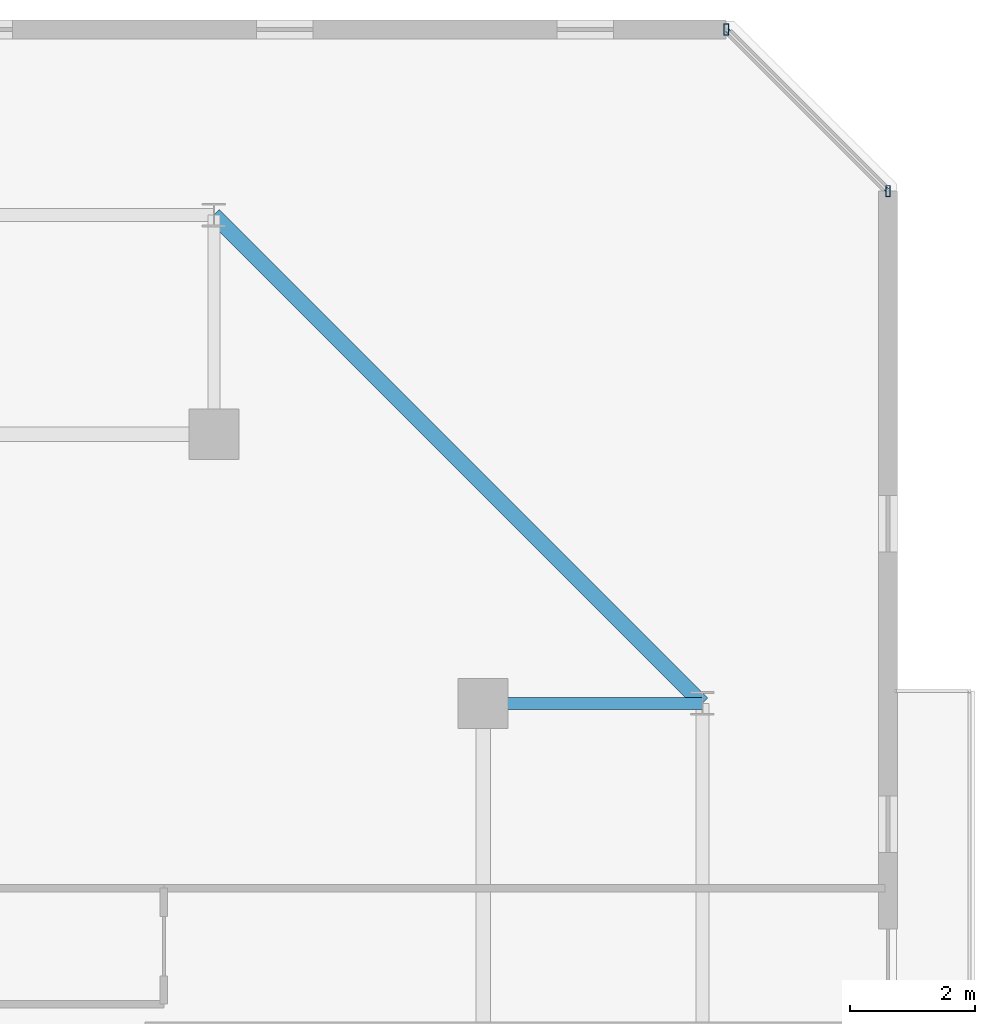
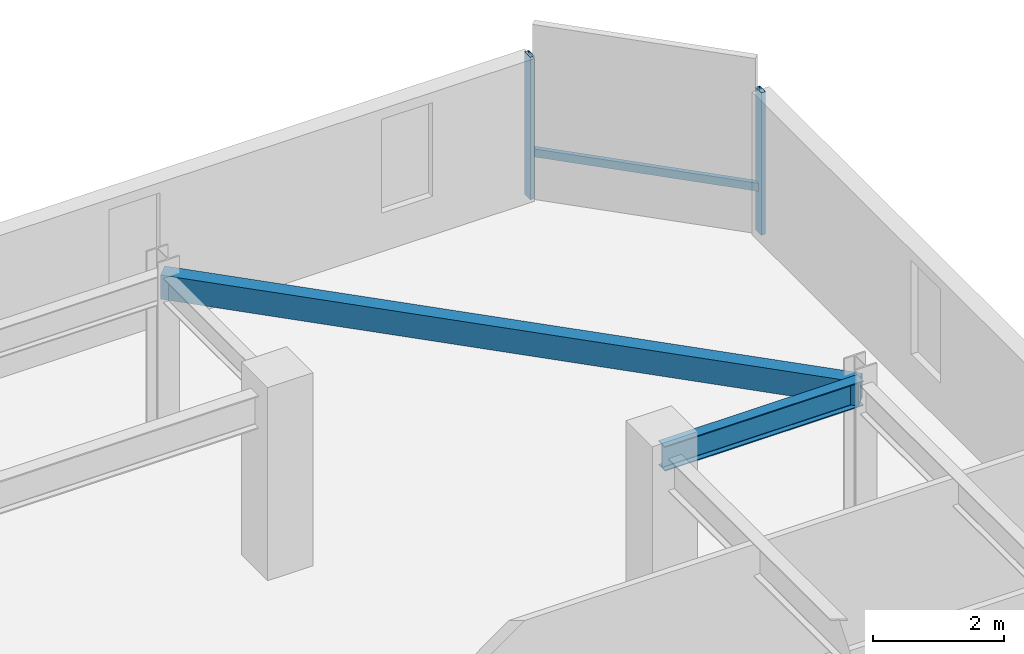
# One storey, part 19 of 35: 3 members, 2 beams, 1 element without a shape of its own.
"""IFC4 building model written with IfcOpenShell, lengths in metres."""

import ifcopenshell
import ifcopenshell.guid

model = None  # the IFC model being written
_history = None  # IfcOwnerHistory: only IFC2X3 demands one
_inside = {}  # id of a spatial element -> (the spatial element, [elements in it])
_under = {}  # id of a project, library or spatial element -> (it, [spatial elements below it])
_declared = {}  # id of a project -> (the project, [libraries it declares])
_typed = {}  # id of a type object -> (the type object, [elements of that type])
_made_of = {}  # id of a material, layer set ... -> (it, [elements and type objects made of it])


def new_model(schema):
    """Start an empty IFC model of exactly this schema.

    Asked for "IFC4X3", IfcOpenShell would pick the latest addendum, in which some entities
    have other attributes; the version numbers below select the first issue.
    IFC2X3 requires an IfcOwnerHistory on every rooted entity: one is made here for all.
    """
    global model, _history
    if schema == "IFC4X3":
        model = ifcopenshell.file(schema_version=(4, 3, 0, 0))
    else:
        model = ifcopenshell.file(schema=schema)
    _inside.clear()
    _under.clear()
    _declared.clear()
    _typed.clear()
    _made_of.clear()
    _history = None
    if model.schema == "IFC2X3":
        org = make("IfcOrganization", Name="unknown")
        user = make(
            "IfcPersonAndOrganization",
            ThePerson=make("IfcPerson", FamilyName="unknown"),
            TheOrganization=org,
        )
        app = make(
            "IfcApplication",
            ApplicationDeveloper=org,
            Version="unknown",
            ApplicationFullName="unknown",
            ApplicationIdentifier="unknown",
        )
        _history = make(
            "IfcOwnerHistory",
            OwningUser=user,
            OwningApplication=app,
            ChangeAction="ADDED",
            CreationDate=0,
        )
    return model


def make(cls, **values):
    """One entity of the class cls with the attributes given. An attribute that is None is left unset."""
    return model.create_entity(
        cls, **{name: value for name, value in values.items() if value is not None}
    )


def rooted(cls, **values):
    """An entity with a GlobalId (a new one), such as an element, a storey or a relation."""
    return make(cls, GlobalId=ifcopenshell.guid.new(), OwnerHistory=_history, **values)


def si_unit(unit_type, name, prefix=None):
    """IfcSIUnit, for example si_unit("LENGTHUNIT", "METRE", prefix="MILLI")."""
    return make("IfcSIUnit", UnitType=unit_type, Prefix=prefix, Name=name)


def assignment(units):
    """IfcUnitAssignment: the units of a project."""
    return None if units is None else make("IfcUnitAssignment", Units=units)


def point(xyz):
    """IfcCartesianPoint."""
    return None if xyz is None else make("IfcCartesianPoint", Coordinates=xyz)


def direction(xyz):
    """IfcDirection."""
    return None if xyz is None else make("IfcDirection", DirectionRatios=xyz)


def frame(location, z_axis=None, x_axis=None):
    """IfcAxis2Placement3D, a coordinate frame: its origin and axes. An axis left out is left unset."""
    return make(
        "IfcAxis2Placement3D",
        Location=point(location),
        Axis=direction(z_axis),
        RefDirection=direction(x_axis),
    )


def frame_2d(location, x_axis=None):
    """IfcAxis2Placement2D, a coordinate frame in the plane: its origin and x axis."""
    return make(
        "IfcAxis2Placement2D", Location=point(location), RefDirection=direction(x_axis)
    )


def origin():
    """The frame at (0, 0, 0) with its axes left unset."""
    return frame((0.0, 0.0, 0.0))


def origin_2d():
    """The frame at (0, 0) in the plane with its x axis left unset."""
    return frame_2d((0.0, 0.0))


def place(relative_to, where):
    """IfcLocalPlacement: puts the frame where relative to a parent placement (None: the world)."""
    return make(
        "IfcLocalPlacement", PlacementRelTo=relative_to, RelativePlacement=where
    )


def context(
    kind, dimensions, precision=None, world=None, true_north=None, identifier=None
):
    """IfcGeometricRepresentationContext, for example the 3D "Model" context."""
    return make(
        "IfcGeometricRepresentationContext",
        ContextIdentifier=identifier,
        ContextType=kind,
        CoordinateSpaceDimension=dimensions,
        Precision=precision,
        WorldCoordinateSystem=world,
        TrueNorth=true_north,
    )


def subcontext(parent, identifier, kind, view, scale=None):
    """IfcGeometricRepresentationSubContext, for example "Body" below "Model"."""
    return make(
        "IfcGeometricRepresentationSubContext",
        ContextIdentifier=identifier,
        ContextType=kind,
        ParentContext=parent,
        TargetScale=scale,
        TargetView=view,
    )


def project(units=None, contexts=None):
    """IfcProject with its units and contexts."""
    return rooted(
        "IfcProject",
        Name="project",
        RepresentationContexts=contexts,
        UnitsInContext=assignment(units),
    )


def spatial(cls, under=None, at=None, **own):
    """A site, building, storey or space (cls), placed at a placement, below another one or the project."""
    s = rooted(cls, ObjectPlacement=at, **own)
    if under is not None:
        _under.setdefault(under.id(), (under, []))[1].append(s)
    return s


def profile(cls, at=None, kind="AREA", **sizes):
    """A parametric profile (cls). Its sizes go by their IFC names, for example OverallWidth=200.0."""
    return make(cls, ProfileType=kind, Position=at, **sizes)


def hollow_rectangle(**sizes):
    """IfcRectangleHollowProfileDef."""
    return profile("IfcRectangleHollowProfileDef", **sizes)


def i_section(**sizes):
    """IfcIShapeProfileDef."""
    return profile("IfcIShapeProfileDef", **sizes)


def extrude(swept, where, along, depth):
    """IfcExtrudedAreaSolid: the profile swept, set in the frame where, extruded along a direction by depth."""
    return make(
        "IfcExtrudedAreaSolid",
        SweptArea=swept,
        Position=where,
        ExtrudedDirection=direction(along),
        Depth=depth,
    )


def shape(context_of_items, identifier, shape_type, items):
    """IfcShapeRepresentation: the items that make up one representation, for example the "Body"."""
    return make(
        "IfcShapeRepresentation",
        ContextOfItems=context_of_items,
        RepresentationIdentifier=identifier,
        RepresentationType=shape_type,
        Items=items,
    )


def material(Name=None, Category=None):
    """IfcMaterial."""
    return make("IfcMaterial", Name=Name, Category=Category)


def material_profile(
    of_material, cross_section, Name=None, Category=None, Priority=None
):
    """IfcMaterialProfile: a cross section and its material."""
    return make(
        "IfcMaterialProfile",
        Name=Name,
        Material=of_material,
        Profile=cross_section,
        Priority=Priority,
        Category=Category,
    )


def profile_set(profiles, Name=None, composite=None):
    """IfcMaterialProfileSet."""
    return make(
        "IfcMaterialProfileSet",
        Name=Name,
        MaterialProfiles=profiles,
        CompositeProfile=composite,
    )


def made_of(thing, what):
    """Note that an element or type object is made of a material, layer set ...; save() writes the relation."""
    if what is not None:
        _made_of.setdefault(what.id(), (what, []))[1].append(thing)
    return thing


def type_object(cls, material=None, **own):
    """A type object (cls), such as IfcWallType, which elements share."""
    return made_of(rooted(cls, **own), material)


def element(
    cls,
    number,
    at=None,
    inside=None,
    cuts=None,
    type_object=None,
    material=None,
    context=None,
    identifier="Body",
    shape_type=None,
    held_by="IfcProductDefinitionShape",
    body=None,
    shapes=None,
    **own,
):
    """One element of the class cls, such as IfcWall. Its Tag is "e" and its number.

    at: its placement. inside: the storey or other place that contains it. cuts: it is an
    opening in that element (IfcRelVoidsElement). A single representation is given by context,
    identifier, shape_type and body (its items); several are given by shapes. held_by: the class
    of the entity that holds the representations. save() writes the other relations.
    """
    e = rooted(cls, Tag="e%d" % number, ObjectPlacement=at, **own)
    if body is not None:
        shapes = [shape(context, identifier, shape_type, body)]
    if shapes is not None:
        e.Representation = make(held_by, Representations=shapes)
    if inside is not None:
        _inside.setdefault(inside.id(), (inside, []))[1].append(e)
    if cuts is not None:
        rooted(
            "IfcRelVoidsElement", RelatingBuildingElement=cuts, RelatedOpeningElement=e
        )
    if type_object is not None:
        _typed.setdefault(type_object.id(), (type_object, []))[1].append(e)
    return made_of(e, material)


def aggregate(whole, parts):
    """IfcRelAggregates: a whole, such as a stair, and the parts it consists of."""
    return rooted("IfcRelAggregates", RelatingObject=whole, RelatedObjects=parts)


def save(model, path):
    """Write the relations noted so far, then the file.

    IfcRelAggregates (storeys below a building ...), IfcRelContainedInSpatialStructure (elements
    in a storey), IfcRelDefinesByType, IfcRelAssociatesMaterial and IfcRelDeclares: one each for
    every whole, place, type object, material and project.
    """
    for whole, parts in _under.values():
        aggregate(whole, parts)
    for where, things in _inside.values():
        rooted(
            "IfcRelContainedInSpatialStructure",
            RelatedElements=things,
            RelatingStructure=where,
        )
    for kind, things in _typed.values():
        rooted("IfcRelDefinesByType", RelatedObjects=things, RelatingType=kind)
    for what, things in _made_of.values():
        rooted("IfcRelAssociatesMaterial", RelatedObjects=things, RelatingMaterial=what)
    for by, libraries in _declared.values():
        rooted("IfcRelDeclares", RelatingContext=by, RelatedDefinitions=libraries)
    model.write(path)


model = new_model("IFC4")

# Units and contexts
model_context = context("Model", 3, precision=1e-05, world=origin(), true_north=direction((0.0, 1.0)))
body_context = subcontext(model_context, "Body", "Model", "MODEL_VIEW")
ifc_project = project(units=[si_unit("LENGTHUNIT", "METRE"), si_unit("AREAUNIT", "SQUARE_METRE"), si_unit("VOLUMEUNIT", "CUBIC_METRE"), si_unit("PLANEANGLEUNIT", "RADIAN"), si_unit("MASSUNIT", "GRAM", prefix="KILO")], contexts=[model_context])

# Site, building, storey
site_placement = place(None, origin())
site = spatial("IfcSite", under=ifc_project, at=site_placement, CompositionType="ELEMENT")
building_placement = place(site_placement, origin())
building = spatial("IfcBuilding", under=site, at=building_placement, Name="Thornwick Lancets Civic Towers", CompositionType="ELEMENT")
storey_placement = place(building_placement, frame((0.0, 0.0, 276.300048828125)))
storey = spatial("IfcBuildingStorey", under=building, at=storey_placement, Name="L74", CompositionType="ELEMENT", Elevation=276.300048828125)

# Beams
ifc_material_1 = material(Name="Steel S355JR", Category="steel")
ifc_material_profile_1 = material_profile(ifc_material_1, i_section(OverallWidth=0.19189453125, OverallDepth=0.46337890625, WebThickness=0.010498046875, FlangeThickness=0.017578125, FilletRadius=0.01025390625, at=origin_2d()), Name="UKB 457x191x89")
ifc_profile_set_1 = profile_set([ifc_material_profile_1], Name="Steel S355JR")
beam_type_1 = type_object("IfcBeamType", Name="BM_JOIST_457_89", PredefinedType="JOIST", material=ifc_profile_set_1)
beam_1_placement = place(storey_placement, frame((105.800048828125, 40.0, 3.04833984375), z_axis=(1.0, 0.0, 0.0), x_axis=(0.0, 1.0, 0.0)))
element("IfcBeam", 1, at=beam_1_placement, inside=storey, type_object=beam_type_1, Name="BM-RAD-L74-B03", PredefinedType="JOIST", context=body_context, shape_type="SweptSolid", body=[
    extrude(i_section(OverallWidth=0.19189453125, OverallDepth=0.46337890625, WebThickness=0.010498046875, FlangeThickness=0.017578125, FilletRadius=0.01025390625, at=origin_2d()), origin(), (0.0, 0.0, 1.0), 3.5),
])
ifc_material_profile_2 = material_profile(ifc_material_1, hollow_rectangle(XDim=0.25, YDim=0.449951171875, WallThickness=0.01611328125, at=origin_2d()), Name="RHS 450x250x16")
ifc_profile_set_2 = profile_set([ifc_material_profile_2], Name="Steel S355JR")
beam_type_2 = type_object("IfcBeamType", Name="BM_RING_RHS450", PredefinedType="BEAM", material=ifc_profile_set_2)
beam_2_placement = place(storey_placement, frame((109.300048828125, 40.0, 3.054931640625), z_axis=(-0.707106781187, 0.707106781187, 0.0), x_axis=(-0.707106781187, -0.707106781187, 0.0)))
element("IfcBeam", 2, at=beam_2_placement, inside=storey, type_object=beam_type_2, Name="BM-CHAMF-L74-B-C0", PredefinedType="BEAM", context=body_context, shape_type="SweptSolid", body=[
    extrude(hollow_rectangle(XDim=0.25, YDim=0.449951171875, WallThickness=0.01611328125, at=origin_2d()), origin(), (0.0, 0.0, 1.0), 11.031005859375),
])

# Curtain wall, members
ifc_material_2 = material(Name="High-zone chamfered-corner unitised glass curtain wall", Category="glass")
curtain_wall_type = type_object("IfcCurtainWallType", Name="CW_SYS_05", PredefinedType="NOTDEFINED", material=ifc_material_2)
curtain_wall_placement = place(storey_placement, origin())
curtain_wall = element("IfcCurtainWall", 3, at=curtain_wall_placement, inside=storey, type_object=curtain_wall_type, Name="L74 Curtain Wall CW-L74-B-E3", PredefinedType="NOTDEFINED")
ifc_material_3 = material(Name="Thermally broken bronze aluminium S355", Category="steel")
ifc_material_profile_3 = material_profile(ifc_material_3, hollow_rectangle(XDim=0.074951171875, YDim=0.179931640625, WallThickness=0.006103515625, at=origin_2d()), Name="RHS 180x75x6")
ifc_profile_set_3 = profile_set([ifc_material_profile_3], Name="Thermally broken bronze aluminium S355")
member_type_1 = type_object("IfcMemberType", Name="CW_MUL_180", PredefinedType="MULLION", material=ifc_profile_set_3)
member_1_placement = place(storey_placement, frame((112.2646484375, 48.181396484375, 0.0), z_axis=(0.0, 0.0, 1.0), x_axis=(1.0, 0.0, 0.0)))
member_1 = element("IfcMember", 4, at=member_1_placement, type_object=member_type_1, Name="CW-L74-B-E3 Mullion 0", PredefinedType="MULLION", context=body_context, shape_type="SweptSolid", body=[
    extrude(hollow_rectangle(XDim=0.074951171875, YDim=0.179931640625, WallThickness=0.006103515625, at=origin_2d()), origin(), (0.0, 0.0, 1.0), 2.659912109375),
])
member_2_placement = place(storey_placement, frame((109.681396484375, 50.7646484375, 0.0), z_axis=(0.0, 0.0, 1.0), x_axis=(1.0, 0.0, 0.0)))
member_2 = element("IfcMember", 5, at=member_2_placement, type_object=member_type_1, Name="CW-L74-B-E3 Mullion 1", PredefinedType="MULLION", context=body_context, shape_type="SweptSolid", body=[
    extrude(hollow_rectangle(XDim=0.074951171875, YDim=0.179931640625, WallThickness=0.006103515625, at=origin_2d()), origin(), (0.0, 0.0, 1.0), 2.659912109375),
])
ifc_material_profile_4 = material_profile(ifc_material_3, hollow_rectangle(XDim=0.074951171875, YDim=0.14990234375, WallThickness=0.0048828125, at=origin_2d()), Name="RHS 150x75x5")
ifc_profile_set_4 = profile_set([ifc_material_profile_4], Name="Thermally broken bronze aluminium S355")
member_type_2 = type_object("IfcMemberType", Name="CW_TRN_150", PredefinedType="USERDEFINED", material=ifc_profile_set_4)
member_3_placement = place(storey_placement, frame((112.25048828125, 48.195556640625, 0.849853515625), z_axis=(-0.707106781187, 0.707106781187, 0.0), x_axis=(-0.707106781187, -0.707106781187, 0.0)))
member_3 = element("IfcMember", 6, at=member_3_placement, type_object=member_type_2, Name="CW-L74-B-E3 Transom 0", ObjectType="TRANSOM", PredefinedType="USERDEFINED", context=body_context, shape_type="SweptSolid", body=[
    extrude(hollow_rectangle(XDim=0.074951171875, YDim=0.14990234375, WallThickness=0.0048828125, at=origin_2d()), origin(), (0.0, 0.0, 1.0), 3.61328125),
])
aggregate(curtain_wall, [member_1, member_2, member_3])

save(model, "model.ifc")
